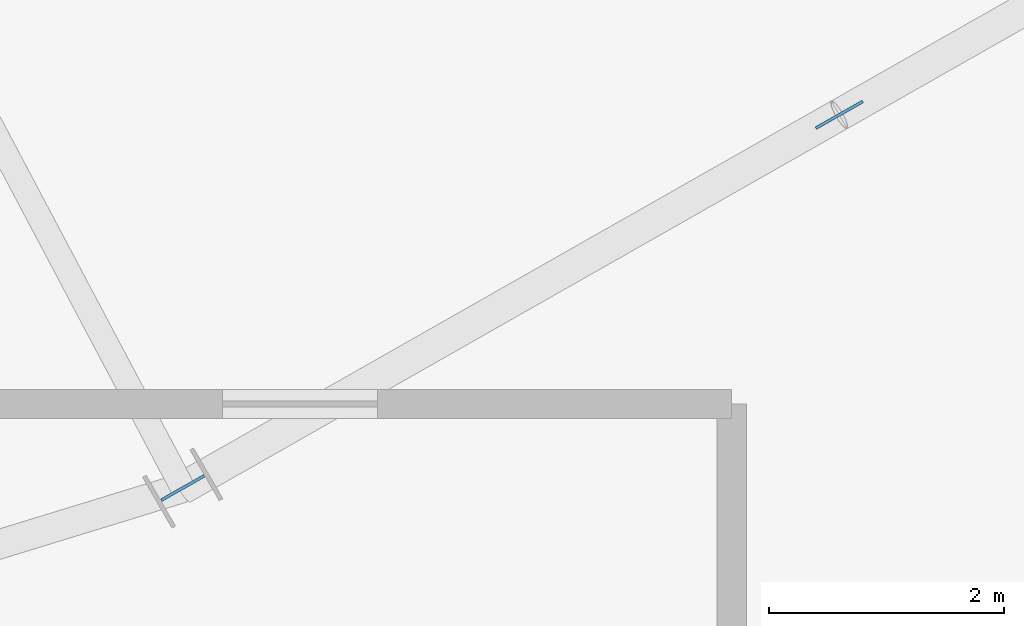
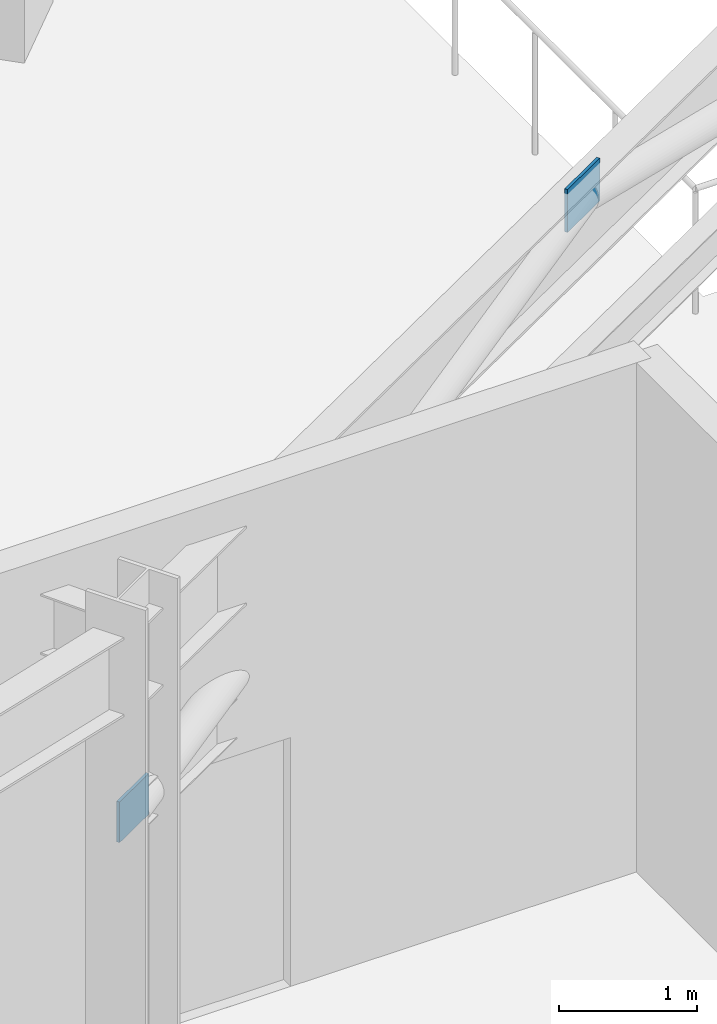
# One storey, part 68 of 107: 2 plates.
"""IFC4 building model written with IfcOpenShell, lengths in metres."""

from ifc_helpers import new_model, si_unit, direction, frame, origin, origin_2d, place, context, subcontext, project, spatial, rectangle, extrude, material, layer, layer_set, type_object, element, save


model = new_model("IFC4")

# Units and contexts
model_context = context("Model", 3, precision=1e-05, world=origin(), true_north=direction((0.0, 1.0)))
body_context = subcontext(model_context, "Body", "Model", "MODEL_VIEW")
ifc_project = project(units=[si_unit("LENGTHUNIT", "METRE"), si_unit("AREAUNIT", "SQUARE_METRE"), si_unit("VOLUMEUNIT", "CUBIC_METRE"), si_unit("PLANEANGLEUNIT", "RADIAN"), si_unit("MASSUNIT", "GRAM", prefix="KILO")], contexts=[model_context])

# Site, building, storey
site_placement = place(None, origin())
site = spatial("IfcSite", under=ifc_project, at=site_placement, CompositionType="ELEMENT")
building_placement = place(site_placement, origin())
building = spatial("IfcBuilding", under=site, at=building_placement, Name="Kalgoora Escarpment Arena", CompositionType="ELEMENT")
storey_placement = place(building_placement, frame((0.0, 0.0, 5.39990234375)))
storey = spatial("IfcBuildingStorey", under=building, at=storey_placement, Name="L01", CompositionType="ELEMENT", Elevation=5.39990234375)

# Plates
ifc_material = material(Name="Structural steel Grade 350 (350 MPa)", Category="steel")
ifc_layer = layer(ifc_material, 0.02490234375)
ifc_layer_set = layer_set([ifc_layer], Name="PLT-GUSSET-25")
plate_type = type_object("IfcPlateType", Name="PLT-GUSSET-25", PredefinedType="USERDEFINED", material=ifc_layer_set)
plate_1_placement = place(storey_placement, frame((124.991943359375, 32.537353515625, 3.860107421875), z_axis=(0.0, 0.0, 1.0), x_axis=(0.869408707144, 0.494093614554, 0.0)))
element("IfcPlate", 1, at=plate_1_placement, inside=storey, type_object=plate_type, Name="L01 chevron gusset cap plate R21", ObjectType="FLANGE PLATE", PredefinedType="USERDEFINED", context=body_context, shape_type="SweptSolid", body=[
    extrude(rectangle(XDim=0.4599609375, YDim=0.02490234375, at=origin_2d()), origin(), (0.0, 0.0, 1.0), 0.3798828125),
])
plate_2_placement = place(storey_placement, frame((119.39990234375, 29.35888671875, 2.33984375), z_axis=(0.0, 0.0, 1.0), x_axis=(0.869494929505, 0.493941866584, 0.0)))
element("IfcPlate", 2, at=plate_2_placement, inside=storey, type_object=plate_type, Name="Brace and post end gusset plate 015", ObjectType="FLANGE PLATE", PredefinedType="USERDEFINED", context=body_context, shape_type="SweptSolid", body=[
    extrude(rectangle(XDim=0.419921875, YDim=0.02490234375, at=origin_2d()), origin(), (0.0, 0.0, 1.0), 0.360107421875),
])

save(model, "model.ifc")
